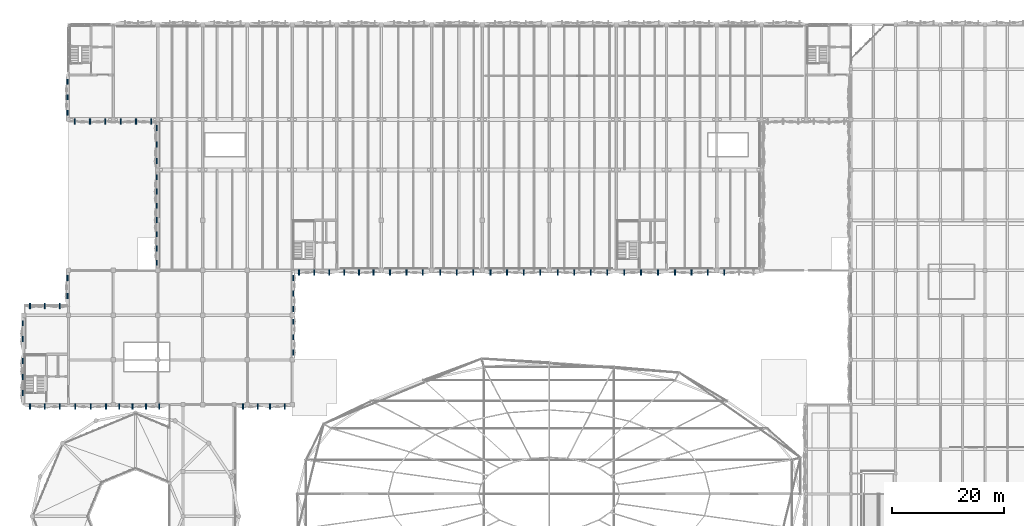
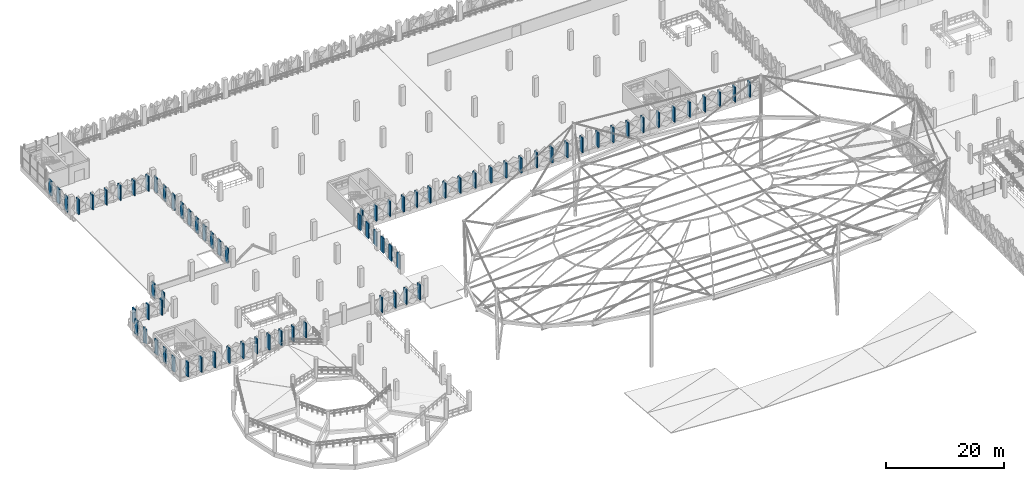
# One storey, part 58 of 96: 76 discrete accessories.
"""IFC4 building model written with IfcOpenShell, lengths in metres."""

import ifcopenshell
import ifcopenshell.guid

model = None  # the IFC model being written
_history = None  # IfcOwnerHistory: only IFC2X3 demands one
_inside = {}  # id of a spatial element -> (the spatial element, [elements in it])
_under = {}  # id of a project, library or spatial element -> (it, [spatial elements below it])
_declared = {}  # id of a project -> (the project, [libraries it declares])
_typed = {}  # id of a type object -> (the type object, [elements of that type])
_made_of = {}  # id of a material, layer set ... -> (it, [elements and type objects made of it])


def new_model(schema):
    """Start an empty IFC model of exactly this schema.

    Asked for "IFC4X3", IfcOpenShell would pick the latest addendum, in which some entities
    have other attributes; the version numbers below select the first issue.
    IFC2X3 requires an IfcOwnerHistory on every rooted entity: one is made here for all.
    """
    global model, _history
    if schema == "IFC4X3":
        model = ifcopenshell.file(schema_version=(4, 3, 0, 0))
    else:
        model = ifcopenshell.file(schema=schema)
    _inside.clear()
    _under.clear()
    _declared.clear()
    _typed.clear()
    _made_of.clear()
    _history = None
    if model.schema == "IFC2X3":
        org = make("IfcOrganization", Name="unknown")
        user = make(
            "IfcPersonAndOrganization",
            ThePerson=make("IfcPerson", FamilyName="unknown"),
            TheOrganization=org,
        )
        app = make(
            "IfcApplication",
            ApplicationDeveloper=org,
            Version="unknown",
            ApplicationFullName="unknown",
            ApplicationIdentifier="unknown",
        )
        _history = make(
            "IfcOwnerHistory",
            OwningUser=user,
            OwningApplication=app,
            ChangeAction="ADDED",
            CreationDate=0,
        )
    return model


def make(cls, **values):
    """One entity of the class cls with the attributes given. An attribute that is None is left unset."""
    return model.create_entity(
        cls, **{name: value for name, value in values.items() if value is not None}
    )


def rooted(cls, **values):
    """An entity with a GlobalId (a new one), such as an element, a storey or a relation."""
    return make(cls, GlobalId=ifcopenshell.guid.new(), OwnerHistory=_history, **values)


def si_unit(unit_type, name, prefix=None):
    """IfcSIUnit, for example si_unit("LENGTHUNIT", "METRE", prefix="MILLI")."""
    return make("IfcSIUnit", UnitType=unit_type, Prefix=prefix, Name=name)


def derived_unit(unit_type, elements):
    """IfcDerivedUnit: a product of units, each with its exponent."""
    return make(
        "IfcDerivedUnit",
        Elements=[
            make("IfcDerivedUnitElement", Unit=unit, Exponent=power)
            for unit, power in elements
        ],
        UnitType=unit_type,
    )


def assignment(units):
    """IfcUnitAssignment: the units of a project."""
    return None if units is None else make("IfcUnitAssignment", Units=units)


def point(xyz):
    """IfcCartesianPoint."""
    return None if xyz is None else make("IfcCartesianPoint", Coordinates=xyz)


def direction(xyz):
    """IfcDirection."""
    return None if xyz is None else make("IfcDirection", DirectionRatios=xyz)


def frame(location, z_axis=None, x_axis=None):
    """IfcAxis2Placement3D, a coordinate frame: its origin and axes. An axis left out is left unset."""
    return make(
        "IfcAxis2Placement3D",
        Location=point(location),
        Axis=direction(z_axis),
        RefDirection=direction(x_axis),
    )


def frame_2d(location, x_axis=None):
    """IfcAxis2Placement2D, a coordinate frame in the plane: its origin and x axis."""
    return make(
        "IfcAxis2Placement2D", Location=point(location), RefDirection=direction(x_axis)
    )


def origin():
    """The frame at (0, 0, 0) with its axes left unset."""
    return frame((0.0, 0.0, 0.0))


def origin_2d():
    """The frame at (0, 0) in the plane with its x axis left unset."""
    return frame_2d((0.0, 0.0))


def place(relative_to, where):
    """IfcLocalPlacement: puts the frame where relative to a parent placement (None: the world)."""
    return make(
        "IfcLocalPlacement", PlacementRelTo=relative_to, RelativePlacement=where
    )


def context(
    kind, dimensions, precision=None, world=None, true_north=None, identifier=None
):
    """IfcGeometricRepresentationContext, for example the 3D "Model" context."""
    return make(
        "IfcGeometricRepresentationContext",
        ContextIdentifier=identifier,
        ContextType=kind,
        CoordinateSpaceDimension=dimensions,
        Precision=precision,
        WorldCoordinateSystem=world,
        TrueNorth=true_north,
    )


def subcontext(parent, identifier, kind, view, scale=None):
    """IfcGeometricRepresentationSubContext, for example "Body" below "Model"."""
    return make(
        "IfcGeometricRepresentationSubContext",
        ContextIdentifier=identifier,
        ContextType=kind,
        ParentContext=parent,
        TargetScale=scale,
        TargetView=view,
    )


def project(units=None, contexts=None):
    """IfcProject with its units and contexts."""
    return rooted(
        "IfcProject",
        Name="project",
        RepresentationContexts=contexts,
        UnitsInContext=assignment(units),
    )


def spatial(cls, under=None, at=None, **own):
    """A site, building, storey or space (cls), placed at a placement, below another one or the project."""
    s = rooted(cls, ObjectPlacement=at, **own)
    if under is not None:
        _under.setdefault(under.id(), (under, []))[1].append(s)
    return s


def profile(cls, at=None, kind="AREA", **sizes):
    """A parametric profile (cls). Its sizes go by their IFC names, for example OverallWidth=200.0."""
    return make(cls, ProfileType=kind, Position=at, **sizes)


def rectangle(**sizes):
    """IfcRectangleProfileDef."""
    return profile("IfcRectangleProfileDef", **sizes)


def extrude(swept, where, along, depth):
    """IfcExtrudedAreaSolid: the profile swept, set in the frame where, extruded along a direction by depth."""
    return make(
        "IfcExtrudedAreaSolid",
        SweptArea=swept,
        Position=where,
        ExtrudedDirection=direction(along),
        Depth=depth,
    )


def shape(context_of_items, identifier, shape_type, items):
    """IfcShapeRepresentation: the items that make up one representation, for example the "Body"."""
    return make(
        "IfcShapeRepresentation",
        ContextOfItems=context_of_items,
        RepresentationIdentifier=identifier,
        RepresentationType=shape_type,
        Items=items,
    )


def material(Name=None, Category=None):
    """IfcMaterial."""
    return make("IfcMaterial", Name=Name, Category=Category)


def made_of(thing, what):
    """Note that an element or type object is made of a material, layer set ...; save() writes the relation."""
    if what is not None:
        _made_of.setdefault(what.id(), (what, []))[1].append(thing)
    return thing


def type_object(cls, material=None, **own):
    """A type object (cls), such as IfcWallType, which elements share."""
    return made_of(rooted(cls, **own), material)


def element(
    cls,
    number,
    at=None,
    inside=None,
    cuts=None,
    type_object=None,
    material=None,
    context=None,
    identifier="Body",
    shape_type=None,
    held_by="IfcProductDefinitionShape",
    body=None,
    shapes=None,
    **own,
):
    """One element of the class cls, such as IfcWall. Its Tag is "e" and its number.

    at: its placement. inside: the storey or other place that contains it. cuts: it is an
    opening in that element (IfcRelVoidsElement). A single representation is given by context,
    identifier, shape_type and body (its items); several are given by shapes. held_by: the class
    of the entity that holds the representations. save() writes the other relations.
    """
    e = rooted(cls, Tag="e%d" % number, ObjectPlacement=at, **own)
    if body is not None:
        shapes = [shape(context, identifier, shape_type, body)]
    if shapes is not None:
        e.Representation = make(held_by, Representations=shapes)
    if inside is not None:
        _inside.setdefault(inside.id(), (inside, []))[1].append(e)
    if cuts is not None:
        rooted(
            "IfcRelVoidsElement", RelatingBuildingElement=cuts, RelatedOpeningElement=e
        )
    if type_object is not None:
        _typed.setdefault(type_object.id(), (type_object, []))[1].append(e)
    return made_of(e, material)


def aggregate(whole, parts):
    """IfcRelAggregates: a whole, such as a stair, and the parts it consists of."""
    return rooted("IfcRelAggregates", RelatingObject=whole, RelatedObjects=parts)


def save(model, path):
    """Write the relations noted so far, then the file.

    IfcRelAggregates (storeys below a building ...), IfcRelContainedInSpatialStructure (elements
    in a storey), IfcRelDefinesByType, IfcRelAssociatesMaterial and IfcRelDeclares: one each for
    every whole, place, type object, material and project.
    """
    for whole, parts in _under.values():
        aggregate(whole, parts)
    for where, things in _inside.values():
        rooted(
            "IfcRelContainedInSpatialStructure",
            RelatedElements=things,
            RelatingStructure=where,
        )
    for kind, things in _typed.values():
        rooted("IfcRelDefinesByType", RelatedObjects=things, RelatingType=kind)
    for what, things in _made_of.values():
        rooted("IfcRelAssociatesMaterial", RelatedObjects=things, RelatingMaterial=what)
    for by, libraries in _declared.values():
        rooted("IfcRelDeclares", RelatingContext=by, RelatedDefinitions=libraries)
    model.write(path)


model = new_model("IFC4")

# Units and contexts
model_context = context("Model", 3, precision=1e-05, world=origin(), true_north=direction((0.0, 1.0)))
body_context = subcontext(model_context, "Body", "Model", "MODEL_VIEW")
ifc_project = project(units=[si_unit("LENGTHUNIT", "METRE"), si_unit("AREAUNIT", "SQUARE_METRE"), si_unit("VOLUMEUNIT", "CUBIC_METRE"), si_unit("PLANEANGLEUNIT", "RADIAN"), si_unit("MASSUNIT", "GRAM", prefix="KILO"), si_unit("THERMODYNAMICTEMPERATUREUNIT", "KELVIN"), derived_unit("THERMALTRANSMITTANCEUNIT", [(si_unit("POWERUNIT", "WATT"), 1), (si_unit("AREAUNIT", "SQUARE_METRE"), -1), (si_unit("THERMODYNAMICTEMPERATUREUNIT", "KELVIN"), -1)])], contexts=[model_context])

# Site, building, storey
site_placement = place(None, origin())
site = spatial("IfcSite", under=ifc_project, at=site_placement, CompositionType="ELEMENT")
building_placement = place(site_placement, origin())
building = spatial("IfcBuilding", under=site, at=building_placement, Name="Haiyu Intermodal Mobility Hub", CompositionType="ELEMENT")
storey_placement = place(building_placement, frame((0.0, 0.0, 9.5)))
storey = spatial("IfcBuildingStorey", under=building, at=storey_placement, Name="L02", CompositionType="ELEMENT", Elevation=9.5)

# Discrete accessories
ifc_material = material(Name="Steel Q355C", Category="steel")
discrete_accessory_type = type_object("IfcDiscreteAccessoryType", Name="ACC-BK02", PredefinedType="BRACKET", material=ifc_material)
for number, where, z_axis, x_axis, name in (
    (1, (37.800048828125, 120.68603515625, 0.050048828125), (0.0, 0.0, 1.0), (1.0, 0.0, 0.0), "BRK-PYR-0542"),
    (2, (37.800048828125, 118.136962890625, 0.050048828125), (0.0, 0.0, 1.0), (1.0, 0.0, 0.0), "BRK-PYR-0545"),
    (3, (37.800048828125, 115.589111328125, 0.050048828125), (0.0, 0.0, 1.0), (1.0, 0.0, 0.0), "BRK-PYR-0548"),
    (4, (37.800048828125, 113.0400390625, 0.050048828125), (0.0, 0.0, 1.0), (1.0, 0.0, 0.0), "BRK-PYR-0551"),
    (5, (37.800048828125, 110.490966796875, 0.050048828125), (0.0, 0.0, 1.0), (1.0, 0.0, 0.0), "BRK-PYR-0554"),
    (6, (37.800048828125, 107.943115234375, 0.050048828125), (0.0, 0.0, 1.0), (1.0, 0.0, 0.0), "BRK-PYR-0557"),
    (7, (37.800048828125, 105.39404296875, 0.050048828125), (0.0, 0.0, 1.0), (1.0, 0.0, 0.0), "BRK-PYR-0558"),
    (8, (37.800048828125, 129.487060546875, 0.050048828125), (0.0, 0.0, 1.0), (1.0, 0.0, 0.0), "BRK-PYR-0625"),
    (9, (37.800048828125, 126.5400390625, 0.050048828125), (0.0, 0.0, 1.0), (1.0, 0.0, 0.0), "BRK-PYR-0628"),
    (10, (37.800048828125, 123.593017578125, 0.050048828125), (0.0, 0.0, 1.0), (1.0, 0.0, 0.0), "BRK-PYR-0629"),
    (11, (13.800048828125, 94.550048828125, 0.050048828125), (0.0, 0.0, 1.0), (1.0, 0.0, 0.0), "BRK-PYR-0657"),
    (12, (13.800048828125, 91.72998046875, 0.050048828125), (0.0, 0.0, 1.0), (1.0, 0.0, 0.0), "BRK-PYR-0658"),
    (13, (71.346923828125, 103.659912109375, 0.050048828125), (0.0, 0.0, 1.0), (1.0, 0.0, 0.0), "BRK-PYR-0756"),
    (14, (73.9599609375, 103.659912109375, 0.050048828125), (0.0, 0.0, 1.0), (1.0, 0.0, 0.0), "BRK-PYR-0759"),
    (15, (76.572998046875, 103.659912109375, 0.050048828125), (0.0, 0.0, 1.0), (1.0, 0.0, 0.0), "BRK-PYR-0760"),
    (16, (79.512939453125, 103.659912109375, 0.050048828125), (0.0, 0.0, 1.0), (1.0, 0.0, 0.0), "BRK-PYR-0791"),
    (17, (82.4599609375, 103.659912109375, 0.050048828125), (0.0, 0.0, 1.0), (1.0, 0.0, 0.0), "BRK-PYR-0794"),
    (18, (85.406982421875, 103.659912109375, 0.050048828125), (0.0, 0.0, 1.0), (1.0, 0.0, 0.0), "BRK-PYR-0795"),
    (19, (88.512939453125, 103.659912109375, 0.050048828125), (0.0, 0.0, 1.0), (1.0, 0.0, 0.0), "BRK-PYR-0819"),
    (20, (91.4599609375, 103.659912109375, 0.050048828125), (0.0, 0.0, 1.0), (1.0, 0.0, 0.0), "BRK-PYR-0822"),
    (21, (94.406982421875, 103.659912109375, 0.050048828125), (0.0, 0.0, 1.0), (1.0, 0.0, 0.0), "BRK-PYR-0823"),
    (22, (97.52001953125, 103.659912109375, 0.050048828125), (0.0, 0.0, 1.0), (1.0, 0.0, 0.0), "BRK-PYR-0857"),
    (23, (100.47998046875, 103.659912109375, 0.050048828125), (0.0, 0.0, 1.0), (1.0, 0.0, 0.0), "BRK-PYR-0860"),
    (24, (103.43994140625, 103.659912109375, 0.050048828125), (0.0, 0.0, 1.0), (1.0, 0.0, 0.0), "BRK-PYR-0863"),
    (25, (106.39990234375, 103.659912109375, 0.050048828125), (0.0, 0.0, 1.0), (1.0, 0.0, 0.0), "BRK-PYR-0864"),
    (26, (109.52001953125, 103.659912109375, 0.050048828125), (0.0, 0.0, 1.0), (1.0, 0.0, 0.0), "BRK-PYR-0907"),
    (27, (112.47998046875, 103.659912109375, 0.050048828125), (0.0, 0.0, 1.0), (1.0, 0.0, 0.0), "BRK-PYR-0910"),
    (28, (115.43994140625, 103.659912109375, 0.050048828125), (0.0, 0.0, 1.0), (1.0, 0.0, 0.0), "BRK-PYR-0913"),
    (29, (118.39990234375, 103.659912109375, 0.050048828125), (0.0, 0.0, 1.0), (1.0, 0.0, 0.0), "BRK-PYR-0914"),
    (30, (130.512939453125, 103.659912109375, 0.050048828125), (0.0, 0.0, 1.0), (1.0, 0.0, 0.0), "BRK-PYR-0954"),
    (31, (133.4599609375, 103.659912109375, 0.050048828125), (0.0, 0.0, 1.0), (1.0, 0.0, 0.0), "BRK-PYR-0957"),
    (32, (136.406982421875, 103.659912109375, 0.050048828125), (0.0, 0.0, 1.0), (1.0, 0.0, 0.0), "BRK-PYR-0958"),
    (33, (139.346923828125, 103.659912109375, 0.050048828125), (0.0, 0.0, 1.0), (1.0, 0.0, 0.0), "BRK-PYR-0989"),
    (34, (13.800048828125, 87.806884765625, 0.050048828125), (0.0, 0.0, 1.0), (1.0, 0.0, 0.0), "BRK-PYR-1432"),
    (35, (13.800048828125, 84.93994140625, 0.050048828125), (0.0, 0.0, 1.0), (1.0, 0.0, 0.0), "BRK-PYR-1435"),
    (36, (13.800048828125, 82.072998046875, 0.050048828125), (0.0, 0.0, 1.0), (1.0, 0.0, 0.0), "BRK-PYR-1436"),
    (37, (15.093017578125, 79.659912109375, 0.050048828125), (0.0, 0.0, 1.0), (1.0, 0.0, 0.0), "BRK-PYR-1439"),
    (38, (17.760009765625, 79.659912109375, 0.050048828125), (0.0, 0.0, 1.0), (1.0, 0.0, 0.0), "BRK-PYR-1442"),
    (39, (20.427001953125, 79.659912109375, 0.050048828125), (0.0, 0.0, 1.0), (1.0, 0.0, 0.0), "BRK-PYR-1443"),
    (40, (62.199951171875, 89.29296875, 0.050048828125), (0.0, 0.0, 1.0), (1.0, 0.0, 0.0), "BRK-PYR-2043"),
    (41, (62.199951171875, 92.06005859375, 0.050048828125), (0.0, 0.0, 1.0), (1.0, 0.0, 0.0), "BRK-PYR-2046"),
    (42, (62.199951171875, 94.826904296875, 0.050048828125), (0.0, 0.0, 1.0), (1.0, 0.0, 0.0), "BRK-PYR-2047"),
    (43, (62.199951171875, 97.093017578125, 0.050048828125), (0.0, 0.0, 1.0), (1.0, 0.0, 0.0), "BRK-PYR-2050"),
    (44, (62.199951171875, 99.860107421875, 0.050048828125), (0.0, 0.0, 1.0), (1.0, 0.0, 0.0), "BRK-PYR-2053"),
    (45, (62.199951171875, 102.626953125, 0.050048828125), (0.0, 0.0, 1.0), (1.0, 0.0, 0.0), "BRK-PYR-2054"),
    (46, (53.235107421875, 79.659912109375, 0.050048828125), (0.0, 0.0, 1.0), (1.0, 0.0, 0.0), "BRK-PYR-2057"),
    (47, (55.885009765625, 79.659912109375, 0.050048828125), (0.0, 0.0, 1.0), (1.0, 0.0, 0.0), "BRK-PYR-2058"),
    (48, (58.034912109375, 79.659912109375, 0.050048828125), (0.0, 0.0, 1.0), (1.0, 0.0, 0.0), "BRK-PYR-2061"),
    (49, (60.68505859375, 79.659912109375, 0.050048828125), (0.0, 0.0, 1.0), (1.0, 0.0, 0.0), "BRK-PYR-2062"),
    (50, (63.260009765625, 103.659912109375, 0.050048828125), (0.0, 0.0, 1.0), (1.0, 0.0, 0.0), "BRK-PYR-2206"),
    (51, (65.9599609375, 103.659912109375, 0.050048828125), (0.0, 0.0, 1.0), (1.0, 0.0, 0.0), "BRK-PYR-2209"),
    (52, (68.659912109375, 103.659912109375, 0.050048828125), (0.0, 0.0, 1.0), (1.0, 0.0, 0.0), "BRK-PYR-2210"),
    (53, (121.427001953125, 103.659912109375, 0.050048828125), (0.0, 0.0, 1.0), (1.0, 0.0, 0.0), "BRK-PYR-2213"),
    (54, (124.4599609375, 103.659912109375, 0.050048828125), (0.0, 0.0, 1.0), (1.0, 0.0, 0.0), "BRK-PYR-2216"),
    (55, (127.492919921875, 103.659912109375, 0.050048828125), (0.0, 0.0, 1.0), (1.0, 0.0, 0.0), "BRK-PYR-2217"),
    (56, (21.800048828125, 137.757080078125, 0.050048828125), (0.0, 0.0, 1.0), (1.0, 0.0, 0.0), "BRK-PYR-2297"),
    (57, (21.800048828125, 134.989990234375, 0.050048828125), (0.0, 0.0, 1.0), (1.0, 0.0, 0.0), "BRK-PYR-2300"),
    (58, (21.800048828125, 132.222900390625, 0.050048828125), (0.0, 0.0, 1.0), (1.0, 0.0, 0.0), "BRK-PYR-2301"),
    (59, (23.126953125, 130.659912109375, 0.050048828125), (0.0, 0.0, 1.0), (1.0, 0.0, 0.0), "BRK-PYR-2325"),
    (60, (25.860107421875, 130.659912109375, 0.050048828125), (0.0, 0.0, 1.0), (1.0, 0.0, 0.0), "BRK-PYR-2328"),
    (61, (28.593017578125, 130.659912109375, 0.050048828125), (0.0, 0.0, 1.0), (1.0, 0.0, 0.0), "BRK-PYR-2331"),
    (62, (31.326904296875, 130.659912109375, 0.050048828125), (0.0, 0.0, 1.0), (1.0, 0.0, 0.0), "BRK-PYR-2334"),
    (63, (34.06005859375, 130.659912109375, 0.050048828125), (0.0, 0.0, 1.0), (1.0, 0.0, 0.0), "BRK-PYR-2337"),
    (64, (36.79296875, 130.659912109375, 0.050048828125), (0.0, 0.0, 1.0), (1.0, 0.0, 0.0), "BRK-PYR-2338"),
    (65, (15.093017578125, 97.659912109375, 0.050048828125), (0.0, 0.0, 1.0), (1.0, 0.0, 0.0), "BRK-PYR-2481"),
    (66, (17.760009765625, 97.659912109375, 0.050048828125), (0.0, 0.0, 1.0), (1.0, 0.0, 0.0), "BRK-PYR-2484"),
    (67, (20.427001953125, 97.659912109375, 0.050048828125), (0.0, 0.0, 1.0), (1.0, 0.0, 0.0), "BRK-PYR-2485"),
    (68, (21.800048828125, 102.639892578125, 0.050048828125), (0.0, 0.0, 1.0), (1.0, 0.0, 0.0), "BRK-PYR-2488"),
    (69, (21.800048828125, 99.43994140625, 0.050048828125), (0.0, 0.0, 1.0), (1.0, 0.0, 0.0), "BRK-PYR-2489"),
    (70, (23.22705078125, 79.659912109375, 0.050048828125), (0.0, 0.0, 1.0), (1.0, 0.0, 0.0), "BRK-PYR-2492"),
    (71, (25.9599609375, 79.659912109375, 0.050048828125), (0.0, 0.0, 1.0), (1.0, 0.0, 0.0), "BRK-PYR-2495"),
    (72, (28.693115234375, 79.659912109375, 0.050048828125), (0.0, 0.0, 1.0), (1.0, 0.0, 0.0), "BRK-PYR-2496"),
    (73, (31.06005859375, 79.659912109375, 0.050048828125), (0.0, 0.0, 1.0), (1.0, 0.0, 0.0), "BRK-PYR-2499"),
    (74, (33.4599609375, 79.659912109375, 0.050048828125), (0.0, 0.0, 1.0), (1.0, 0.0, 0.0), "BRK-PYR-2502"),
    (75, (35.860107421875, 79.659912109375, 0.050048828125), (0.0, 0.0, 1.0), (1.0, 0.0, 0.0), "BRK-PYR-2505"),
    (76, (38.260009765625, 79.659912109375, 0.050048828125), (0.0, 0.0, 1.0), (1.0, 0.0, 0.0), "BRK-PYR-2506"),
):
    element("IfcDiscreteAccessory", number, at=place(storey_placement, frame(where, z_axis=z_axis, x_axis=x_axis)), inside=storey, type_object=discrete_accessory_type, Name=name, PredefinedType="BRACKET", context=body_context, shape_type="SweptSolid", body=[
        extrude(rectangle(XDim=0.219970703125, YDim=0.949951171875, at=origin_2d()), origin(), (0.0, 0.0, 1.0), 3.10009765625),
    ])

save(model, "model.ifc")
